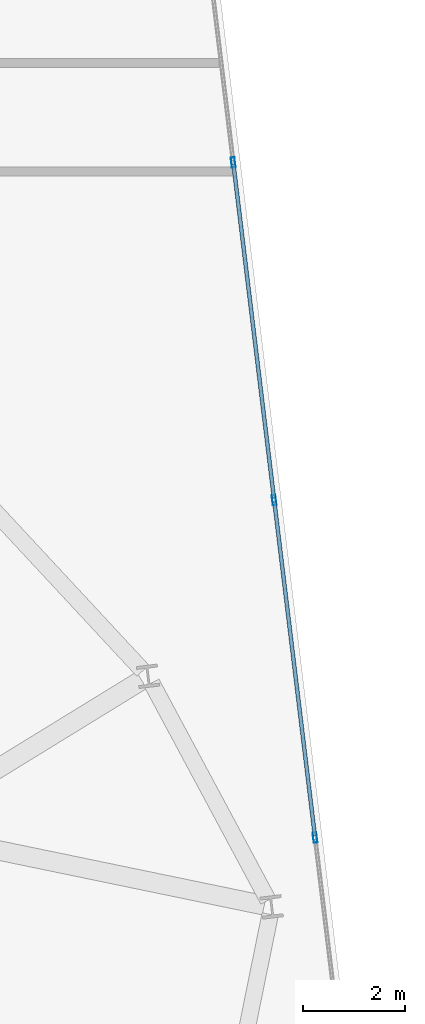
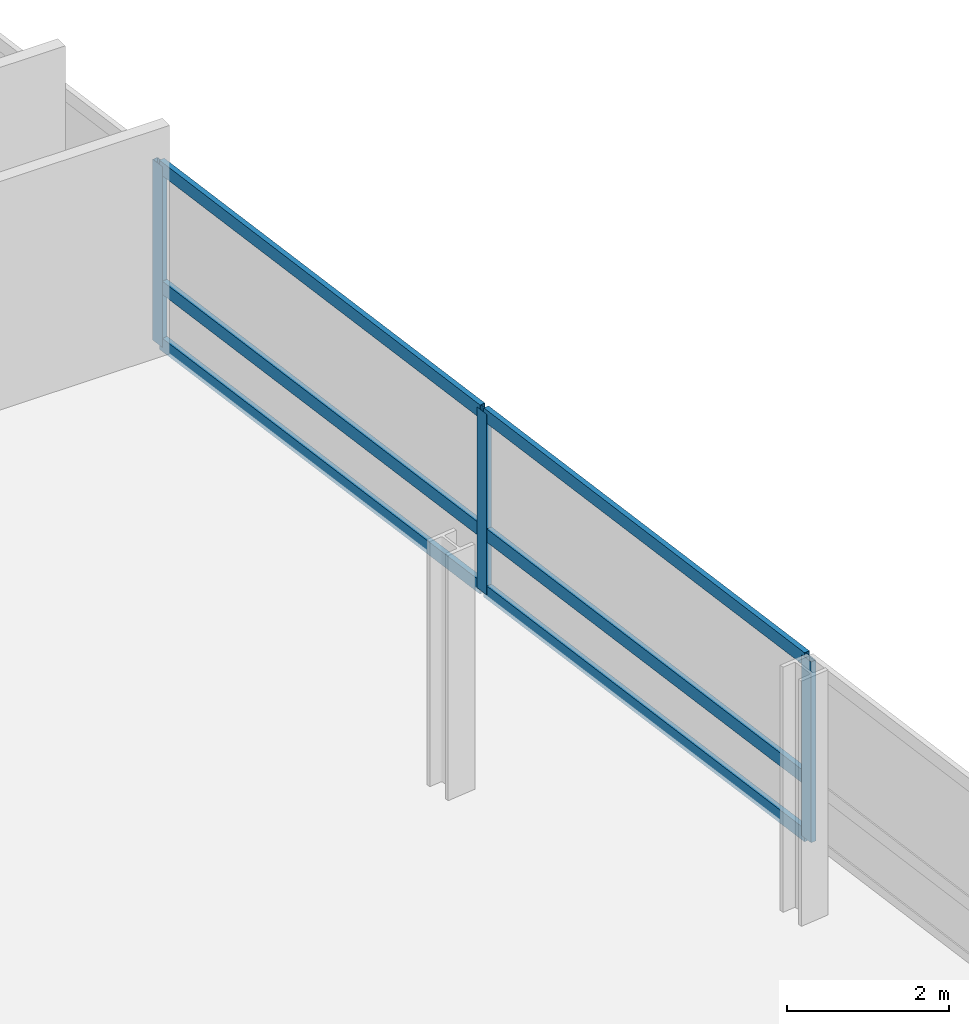
# One storey, part 11 of 23: 9 members, 1 element without a shape of its own.
"""IFC4 building model written with IfcOpenShell, lengths in metres."""

from ifc_helpers import new_model, si_unit, direction, frame, origin, origin_2d, place, context, subcontext, project, spatial, hollow_rectangle, extrude, material, layer, layer_set, material_profile, profile_set, type_object, element, aggregate, save


model = new_model("IFC4")

# Units and contexts
model_context = context("Model", 3, precision=1e-05, world=origin(), true_north=direction((0.0, 1.0)))
body_context = subcontext(model_context, "Body", "Model", "MODEL_VIEW")
ifc_project = project(units=[si_unit("LENGTHUNIT", "METRE"), si_unit("AREAUNIT", "SQUARE_METRE"), si_unit("VOLUMEUNIT", "CUBIC_METRE"), si_unit("PLANEANGLEUNIT", "RADIAN"), si_unit("MASSUNIT", "GRAM", prefix="KILO")], contexts=[model_context])

# Site, building, storey
site_placement = place(None, origin())
site = spatial("IfcSite", under=ifc_project, at=site_placement, CompositionType="ELEMENT")
building_placement = place(site_placement, origin())
building = spatial("IfcBuilding", under=site, at=building_placement, Name="Varnelok Gate Tower", CompositionType="ELEMENT")
storey_placement = place(building_placement, frame((0.0, 0.0, 170.89990234375)))
storey = spatial("IfcBuildingStorey", under=building, at=storey_placement, Name="L43", CompositionType="ELEMENT", Elevation=170.89990234375)

# Curtain wall, members
ifc_material = material(Name="Anodized Aluminum Alloy 6063-T6", Category="aluminium")
ifc_layer = layer(ifc_material, 0.179931640625)
ifc_layer_set = layer_set([ifc_layer], Name="Anodized Aluminum Alloy 6063-T6")
curtain_wall_type = type_object("IfcCurtainWallType", Name="CW4-RESIDENCE-VISION", PredefinedType="USERDEFINED", material=ifc_layer_set)
curtain_wall_placement = place(storey_placement, origin())
curtain_wall = element("IfcCurtainWall", 1, at=curtain_wall_placement, inside=storey, type_object=curtain_wall_type, Name="L43 East End Vision Curtain Wall", ObjectType="UNITISED CURTAIN WALL", PredefinedType="USERDEFINED")
ifc_material_profile_1 = material_profile(ifc_material, hollow_rectangle(XDim=0.074951171875, YDim=0.199951171875, WallThickness=0.00390625, at=origin_2d()), Name="ALU200X75X4")
ifc_profile_set_1 = profile_set([ifc_material_profile_1], Name="Anodized Aluminum Alloy 6063-T6")
member_type_1 = type_object("IfcMemberType", Name="CW-MULL-200", PredefinedType="MULLION", material=ifc_profile_set_1)
member_1_placement = place(storey_placement, frame((72.898681640625, 39.478515625, 0.0), z_axis=(0.0, 0.0, 1.0), x_axis=(0.992732188751, 0.120344511371, 0.0)))
member_1 = element("IfcMember", 2, at=member_1_placement, type_object=member_type_1, Name="CW4 mullion 2", PredefinedType="MULLION", context=body_context, shape_type="SweptSolid", body=[
    extrude(hollow_rectangle(XDim=0.074951171875, YDim=0.199951171875, WallThickness=0.00390625, at=origin_2d()), origin(), (0.0, 0.0, 1.0), 2.72998046875),
])
member_2_placement = place(storey_placement, frame((73.702392578125, 32.846923828125, 0.0), z_axis=(0.0, 0.0, 1.0), x_axis=(0.992732188751, 0.120344511371, 0.0)))
member_2 = element("IfcMember", 3, at=member_2_placement, type_object=member_type_1, Name="CW4 mullion 3", PredefinedType="MULLION", context=body_context, shape_type="SweptSolid", body=[
    extrude(hollow_rectangle(XDim=0.074951171875, YDim=0.199951171875, WallThickness=0.00390625, at=origin_2d()), origin(), (0.0, 0.0, 1.0), 2.72998046875),
])
member_3_placement = place(storey_placement, frame((74.50634765625, 26.215576171875, 0.0), z_axis=(0.0, 0.0, 1.0), x_axis=(0.992732188751, 0.120344511371, 0.0)))
member_3 = element("IfcMember", 4, at=member_3_placement, type_object=member_type_1, Name="CW4 mullion 4", PredefinedType="MULLION", context=body_context, shape_type="SweptSolid", body=[
    extrude(hollow_rectangle(XDim=0.074951171875, YDim=0.199951171875, WallThickness=0.00390625, at=origin_2d()), origin(), (0.0, 0.0, 1.0), 2.72998046875),
])
ifc_material_profile_2 = material_profile(ifc_material, hollow_rectangle(XDim=0.074951171875, YDim=0.199951171875, WallThickness=0.00390625, at=origin_2d()), Name="ALU200X75X4")
ifc_profile_set_2 = profile_set([ifc_material_profile_2], Name="Anodized Aluminum Alloy 6063-T6")
member_type_2 = type_object("IfcMemberType", Name="CW-TRAN-200", PredefinedType="USERDEFINED", material=ifc_profile_set_2)
member_4_placement = place(storey_placement, frame((72.903076171875, 39.441162109375, 0.03759765625), z_axis=(0.120353445289, -0.992731105691, 0.0), x_axis=(0.992731105691, 0.120353445289, 0.0)))
member_4 = element("IfcMember", 5, at=member_4_placement, type_object=member_type_2, Name="CW4 transom 2.1", ObjectType="TRANSOM", PredefinedType="USERDEFINED", context=body_context, shape_type="SweptSolid", body=[
    extrude(hollow_rectangle(XDim=0.074951171875, YDim=0.199951171875, WallThickness=0.00390625, at=origin_2d()), origin(), (0.0, 0.0, 1.0), 6.60498046875),
])
member_5_placement = place(storey_placement, frame((72.903076171875, 39.441162109375, 0.900146484375), z_axis=(0.120353445289, -0.992731105691, 0.0), x_axis=(0.992731105691, 0.120353445289, 0.0)))
member_5 = element("IfcMember", 6, at=member_5_placement, type_object=member_type_2, Name="CW4 transom 2.2", ObjectType="TRANSOM", PredefinedType="USERDEFINED", context=body_context, shape_type="SweptSolid", body=[
    extrude(hollow_rectangle(XDim=0.074951171875, YDim=0.199951171875, WallThickness=0.00390625, at=origin_2d()), origin(), (0.0, 0.0, 1.0), 6.60498046875),
])
member_6_placement = place(storey_placement, frame((72.903076171875, 39.441162109375, 2.692626953125), z_axis=(0.120353445289, -0.992731105691, 0.0), x_axis=(0.992731105691, 0.120353445289, 0.0)))
member_6 = element("IfcMember", 7, at=member_6_placement, type_object=member_type_2, Name="CW4 transom 2.3", ObjectType="TRANSOM", PredefinedType="USERDEFINED", context=body_context, shape_type="SweptSolid", body=[
    extrude(hollow_rectangle(XDim=0.074951171875, YDim=0.199951171875, WallThickness=0.00390625, at=origin_2d()), origin(), (0.0, 0.0, 1.0), 6.60498046875),
])
member_7_placement = place(storey_placement, frame((73.70703125, 32.809814453125, 0.03759765625), z_axis=(0.120349029092, -0.992731641078, 0.0), x_axis=(0.992731641078, 0.120349029092, 0.0)))
member_7 = element("IfcMember", 8, at=member_7_placement, type_object=member_type_2, Name="CW4 transom 3.1", ObjectType="TRANSOM", PredefinedType="USERDEFINED", context=body_context, shape_type="SweptSolid", body=[
    extrude(hollow_rectangle(XDim=0.074951171875, YDim=0.199951171875, WallThickness=0.00390625, at=origin_2d()), origin(), (0.0, 0.0, 1.0), 6.605224609375),
])
member_8_placement = place(storey_placement, frame((73.70703125, 32.809814453125, 0.900146484375), z_axis=(0.120349029092, -0.992731641078, 0.0), x_axis=(0.992731641078, 0.120349029092, 0.0)))
member_8 = element("IfcMember", 9, at=member_8_placement, type_object=member_type_2, Name="CW4 transom 3.2", ObjectType="TRANSOM", PredefinedType="USERDEFINED", context=body_context, shape_type="SweptSolid", body=[
    extrude(hollow_rectangle(XDim=0.074951171875, YDim=0.199951171875, WallThickness=0.00390625, at=origin_2d()), origin(), (0.0, 0.0, 1.0), 6.605224609375),
])
member_9_placement = place(storey_placement, frame((73.70703125, 32.809814453125, 2.692626953125), z_axis=(0.120349029092, -0.992731641078, 0.0), x_axis=(0.992731641078, 0.120349029092, 0.0)))
member_9 = element("IfcMember", 10, at=member_9_placement, type_object=member_type_2, Name="CW4 transom 3.3", ObjectType="TRANSOM", PredefinedType="USERDEFINED", context=body_context, shape_type="SweptSolid", body=[
    extrude(hollow_rectangle(XDim=0.074951171875, YDim=0.199951171875, WallThickness=0.00390625, at=origin_2d()), origin(), (0.0, 0.0, 1.0), 6.605224609375),
])
aggregate(curtain_wall, [member_1, member_2, member_3, member_4, member_5, member_6, member_7, member_8, member_9])

save(model, "model.ifc")
